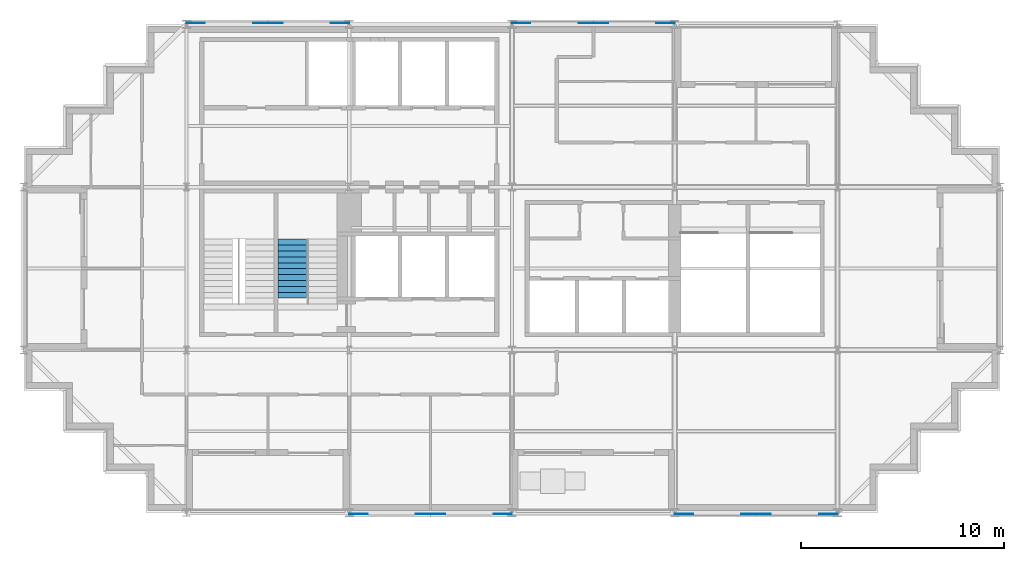
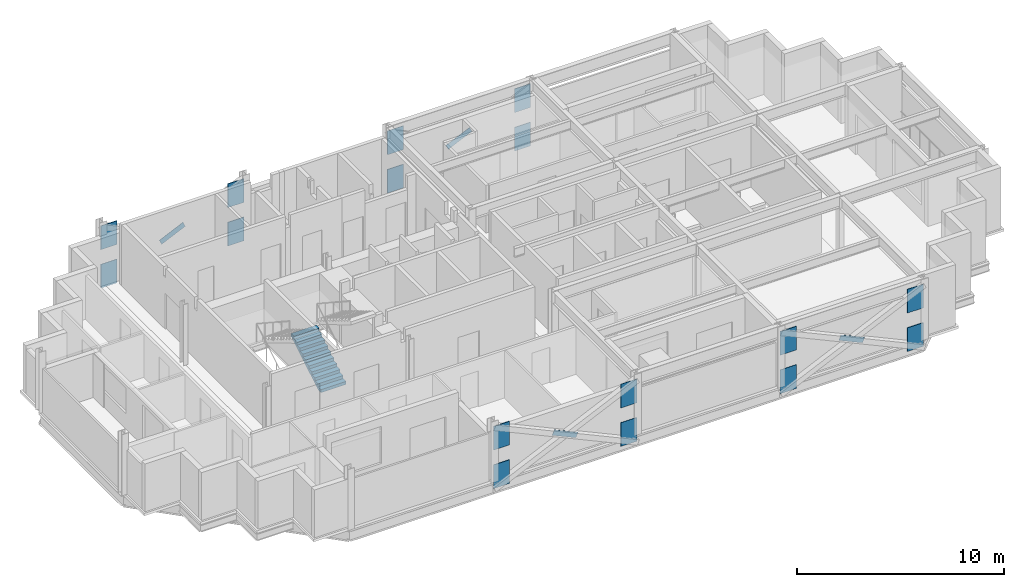
# One storey, part 8 of 10: 20 discrete accessories, 1 stair flight, 1 element without a shape of its own.
"""IFC4 building model written with IfcOpenShell, lengths in metres."""

from ifc_helpers import new_model, si_unit, direction, frame, origin, origin_2d, place, context, subcontext, project, spatial, polyline, rectangle, outline, extrude, material, material_profile, profile_set, type_object, element, aggregate, save


model = new_model("IFC4")

# Units and contexts
model_context = context("Model", 3, precision=1e-05, world=origin(), true_north=direction((0.0, 1.0)))
body_context = subcontext(model_context, "Body", "Model", "MODEL_VIEW")
ifc_project = project(units=[si_unit("LENGTHUNIT", "METRE"), si_unit("AREAUNIT", "SQUARE_METRE"), si_unit("VOLUMEUNIT", "CUBIC_METRE"), si_unit("PLANEANGLEUNIT", "RADIAN"), si_unit("MASSUNIT", "GRAM", prefix="KILO")], contexts=[model_context])

# Site, building, storey
site_placement = place(None, origin())
site = spatial("IfcSite", under=ifc_project, at=site_placement, CompositionType="ELEMENT")
building_placement = place(site_placement, origin())
building = spatial("IfcBuilding", under=site, at=building_placement, Name="Immortelle Media Tower", CompositionType="ELEMENT")
storey_placement = place(building_placement, frame((0.0, 0.0, 295.0)))
storey = spatial("IfcBuildingStorey", under=building, at=storey_placement, Name="L65", CompositionType="ELEMENT", Elevation=295.0)

# Stair, stair flight
ifc_material_1 = material(Name="Steel ASTM A992 Gr 50", Category="steel")
stair_type = type_object("IfcStairType", Name="Stair with flights", PredefinedType="DOUBLE_RETURN_STAIR", material=ifc_material_1)
stair_placement = place(storey_placement, origin())
stair = element("IfcStair", 1, at=stair_placement, inside=storey, type_object=stair_type, Name="Exit stair SW2", PredefinedType="DOUBLE_RETURN_STAIR")
stair_flight_type = type_object("IfcStairFlightType", Name="Stair flight 1400", PredefinedType="STRAIGHT", material=ifc_material_1)
stair_flight_placement = place(storey_placement, frame((13.199951171875, 10.5400390625, 0.0), z_axis=(0.0, 0.0, 1.0), x_axis=(0.0, 1.0, 0.0)))
stair_flight = element("IfcStairFlight", 2, at=stair_flight_placement, type_object=stair_flight_type, Name="ST SW2 flight 1", NumberOfRisers=11, NumberOfTreads=10, PredefinedType="STRAIGHT", RiserHeight=0.173913043, TreadLength=0.29, context=body_context, shape_type="SweptSolid", body=[
    extrude(outline(polyline([(0.0, 0.0), (0.0, 0.173828125), (0.2900390625, 0.173828125), (0.2900390625, 0.347900390625), (0.580078125, 0.347900390625), (0.580078125, 0.521728515625), (0.8701171875, 0.521728515625), (0.8701171875, 0.695556640625), (1.159912109375, 0.695556640625), (1.159912109375, 0.86962890625), (1.449951171875, 0.86962890625), (1.449951171875, 1.04345703125), (1.739990234375, 1.04345703125), (1.739990234375, 1.21728515625), (2.030029296875, 1.21728515625), (2.030029296875, 1.391357421875), (2.320068359375, 1.391357421875), (2.320068359375, 1.565185546875), (2.610107421875, 1.565185546875), (2.610107421875, 1.739013671875), (2.89990234375, 1.739013671875), (2.89990234375, 1.9130859375), (2.89990234375, 1.564453125), (0.29150390625, 0.0), (0.0, 0.0)])), frame((0.0, 0.699951171875, 0.0), z_axis=(0.0, -1.0, 0.0), x_axis=(1.0, 0.0, 0.0)), (0.0, 0.0, 1.0), 1.39990234375),
])
aggregate(stair, [stair_flight])

# Discrete accessories
ifc_material_2 = material(Name="Steel ASTM A572 Gr 50", Category="steel")
ifc_material_profile_1 = material_profile(ifc_material_2, rectangle(XDim=0.02001953125, YDim=0.304931640625, at=origin_2d()), Name="PL 20 x 305")
ifc_profile_set_1 = profile_set([ifc_material_profile_1], Name="Steel ASTM A572 Gr 50")
discrete_accessory_type_1 = type_object("IfcDiscreteAccessoryType", Name="Crossing plate XP-BR7 1450 x 305 x 20", PredefinedType="USERDEFINED", material=ifc_profile_set_1)
for number, where, z_axis, x_axis, name in (
    (3, (28.658935546875, 24.0625, 1.686279296875), (-0.908942541532, 0.0, -0.416921402896), (0.0, -1.0, 0.0), "Crossing plate XP-BR7 of Brace D/4-5 A and Brace D/4-5 B"),
    (4, (12.658935546875, 24.0625, 1.686279296875), (-0.908942541532, 0.0, -0.416921402896), (0.0, -1.0, 0.0), "Crossing plate XP-BR7 of Brace D/2-3 A and Brace D/2-3 B"),
    (5, (19.341064453125, -0.0625, 1.686279296875), (0.908942541532, 0.0, -0.416921402896), (0.0, 1.0, 0.0), "Crossing plate XP-BR7 of Brace A/3-4 A and Brace A/3-4 B"),
    (6, (35.341064453125, -0.0625, 1.686279296875), (0.908942541532, 0.0, -0.416921402896), (0.0, 1.0, 0.0), "Crossing plate XP-BR7 of Brace A/5-6 A and Brace A/5-6 B"),
):
    element("IfcDiscreteAccessory", number, at=place(storey_placement, frame(where, z_axis=z_axis, x_axis=x_axis)), inside=storey, type_object=discrete_accessory_type_1, Name=name, ObjectType="CROSSING PLATE", PredefinedType="USERDEFINED", context=body_context, shape_type="SweptSolid", body=[
        extrude(rectangle(XDim=0.02001953125, YDim=0.304931640625, at=origin_2d()), origin(), (0.0, 0.0, 1.0), 1.449951171875),
    ])
ifc_material_profile_2 = material_profile(ifc_material_2, rectangle(XDim=0.031982421875, YDim=1.39990234375, at=origin_2d()), Name="PL 32 x 1400")
ifc_profile_set_2 = profile_set([ifc_material_profile_2], Name="Steel ASTM A572 Gr 50")
discrete_accessory_type_2 = type_object("IfcDiscreteAccessoryType", Name="Gusset plate GP1 900 x 1400 x 32", PredefinedType="USERDEFINED", material=ifc_profile_set_2)
for number, where, z_axis, x_axis, name in (
    (7, (16.0, -0.0625, 0.2490234375), (1.0, 0.0, 0.0), (0.0, 1.0, 0.0), "Gusset plate GP1, lower end of Brace A/3-4 A"),
    (8, (24.0, -0.0625, 2.51904296875), (-1.0, 0.0, 0.0), (0.0, -1.0, 0.0), "Gusset plate GP1, upper end of Brace A/3-4 A"),
    (9, (24.0, -0.0625, 0.2490234375), (-1.0, 0.0, 0.0), (0.0, -1.0, 0.0), "Gusset plate GP1, lower end of Brace A/3-4 B"),
    (10, (16.0, -0.0625, 2.51904296875), (1.0, 0.0, 0.0), (0.0, 1.0, 0.0), "Gusset plate GP1, upper end of Brace A/3-4 B"),
    (11, (32.0, -0.0625, 0.2490234375), (1.0, 0.0, 0.0), (0.0, 1.0, 0.0), "Gusset plate GP1, lower end of Brace A/5-6 A"),
    (12, (40.0, -0.0625, 2.51904296875), (-1.0, 0.0, 0.0), (0.0, -1.0, 0.0), "Gusset plate GP1, upper end of Brace A/5-6 A"),
    (13, (40.0, -0.0625, 0.2490234375), (-1.0, 0.0, 0.0), (0.0, -1.0, 0.0), "Gusset plate GP1, lower end of Brace A/5-6 B"),
    (14, (32.0, -0.0625, 2.51904296875), (1.0, 0.0, 0.0), (0.0, 1.0, 0.0), "Gusset plate GP1, upper end of Brace A/5-6 B"),
    (15, (32.0, 24.0625, 0.2490234375), (-1.0, 0.0, 0.0), (0.0, -1.0, 0.0), "Gusset plate GP1, lower end of Brace D/4-5 A"),
    (16, (24.0, 24.0625, 2.51904296875), (1.0, 0.0, 0.0), (0.0, 1.0, 0.0), "Gusset plate GP1, upper end of Brace D/4-5 A"),
    (17, (24.0, 24.0625, 0.2490234375), (1.0, 0.0, 0.0), (0.0, 1.0, 0.0), "Gusset plate GP1, lower end of Brace D/4-5 B"),
    (18, (32.0, 24.0625, 2.51904296875), (-1.0, 0.0, 0.0), (0.0, -1.0, 0.0), "Gusset plate GP1, upper end of Brace D/4-5 B"),
    (19, (16.0, 24.0625, 0.2490234375), (-1.0, 0.0, 0.0), (0.0, -1.0, 0.0), "Gusset plate GP1, lower end of Brace D/2-3 A"),
    (20, (8.0, 24.0625, 2.51904296875), (1.0, 0.0, 0.0), (0.0, 1.0, 0.0), "Gusset plate GP1, upper end of Brace D/2-3 A"),
    (21, (8.0, 24.0625, 0.2490234375), (1.0, 0.0, 0.0), (0.0, 1.0, 0.0), "Gusset plate GP1, lower end of Brace D/2-3 B"),
    (22, (16.0, 24.0625, 2.51904296875), (-1.0, 0.0, 0.0), (0.0, -1.0, 0.0), "Gusset plate GP1, upper end of Brace D/2-3 B"),
):
    element("IfcDiscreteAccessory", number, at=place(storey_placement, frame(where, z_axis=z_axis, x_axis=x_axis)), inside=storey, type_object=discrete_accessory_type_2, Name=name, ObjectType="GUSSET PLATE", PredefinedType="USERDEFINED", context=body_context, shape_type="SweptSolid", body=[
        extrude(rectangle(XDim=0.031982421875, YDim=1.39990234375, at=origin_2d()), origin(), (0.0, 0.0, 1.0), 0.89990234375),
    ])

save(model, "model.ifc")
